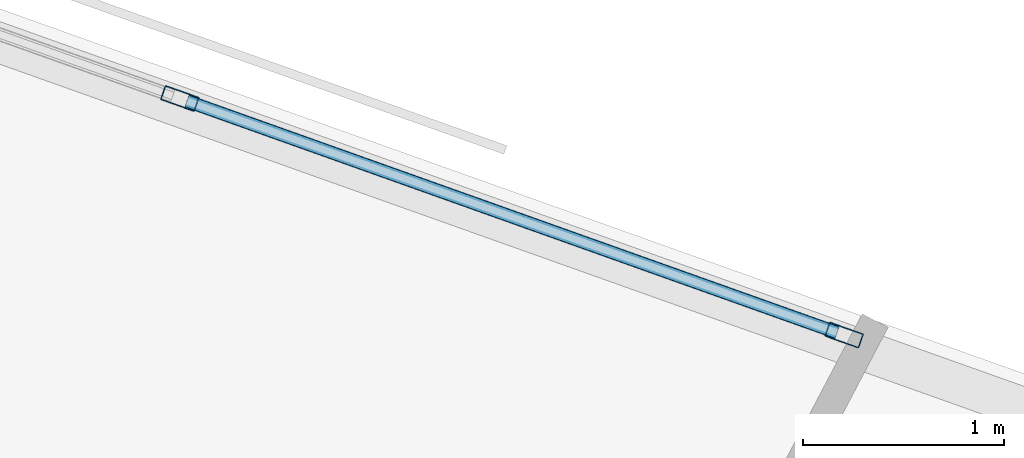
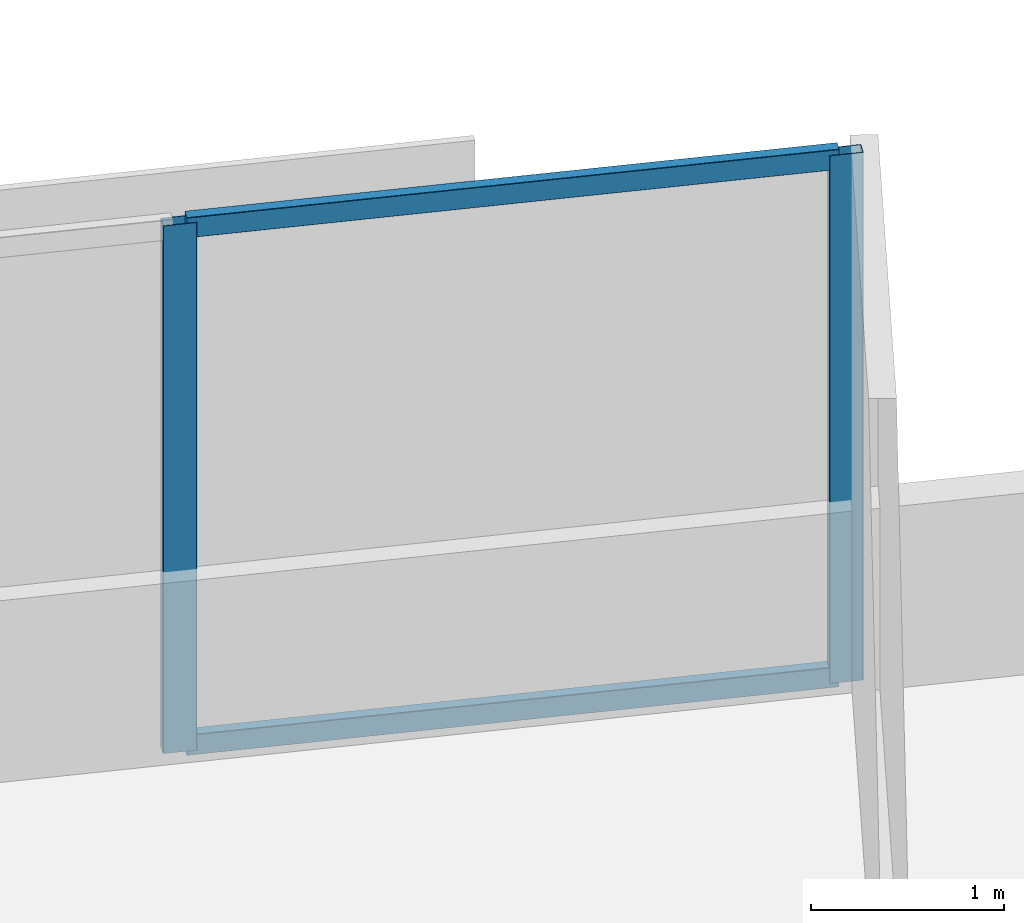
# One storey, part 2 of 14: 4 members, 1 element without a shape of its own.
"""IFC4 building model written with IfcOpenShell, lengths in metres."""

from ifc_helpers import new_model, si_unit, direction, frame, origin, origin_2d, place, context, subcontext, project, spatial, hollow_rectangle, extrude, material, material_profile, profile_set, type_object, element, aggregate, save


model = new_model("IFC4")

# Units and contexts
model_context = context("Model", 3, precision=1e-05, world=origin(), true_north=direction((0.0, 1.0)))
body_context = subcontext(model_context, "Body", "Model", "MODEL_VIEW")
ifc_project = project(units=[si_unit("LENGTHUNIT", "METRE"), si_unit("AREAUNIT", "SQUARE_METRE"), si_unit("VOLUMEUNIT", "CUBIC_METRE"), si_unit("PLANEANGLEUNIT", "RADIAN"), si_unit("MASSUNIT", "GRAM", prefix="KILO")], contexts=[model_context])

# Site, building, storey
site_placement = place(None, origin())
site = spatial("IfcSite", under=ifc_project, at=site_placement, CompositionType="ELEMENT")
building_placement = place(site_placement, origin())
building = spatial("IfcBuilding", under=site, at=building_placement, Name="Narakoshi Arena Tower", CompositionType="ELEMENT")
storey_placement = place(building_placement, frame((0.0, 0.0, 135.89990234375)))
storey = spatial("IfcBuildingStorey", under=building, at=storey_placement, Name="L36", CompositionType="ELEMENT", Elevation=135.89990234375)

# Curtain wall, members
ifc_material = material(Name="Anodised bronze aluminium 6063-T6", Category="aluminium")
curtain_wall_type = type_object("IfcCurtainWallType", Name="CW-HYP-MID", PredefinedType="NOTDEFINED", material=ifc_material)
curtain_wall_placement = place(storey_placement, origin())
curtain_wall = element("IfcCurtainWall", 1, at=curtain_wall_placement, inside=storey, type_object=curtain_wall_type, Name="L36 Folded Hypotenuse Curtain Wall 2-1", PredefinedType="NOTDEFINED")
ifc_material_profile_1 = material_profile(ifc_material, hollow_rectangle(XDim=0.074951171875, YDim=0.179931640625, WallThickness=0.00390625, OuterFilletRadius=0.0048828125, at=origin_2d()), Name="MUL180x75x4")
ifc_profile_set_1 = profile_set([ifc_material_profile_1], Name="Anodised bronze aluminium 6063-T6")
member_type_1 = type_object("IfcMemberType", Name="MEM-MUL-180", PredefinedType="MULLION", material=ifc_profile_set_1)
member_1_placement = place(storey_placement, frame((87.77978515625, 62.73876953125, 0.0), z_axis=(0.0, 0.0, 1.0), x_axis=(-0.335518297139, -0.94203368957, 0.0)))
member_1 = element("IfcMember", 2, at=member_1_placement, type_object=member_type_1, Name="CW-02 mullion 1", PredefinedType="MULLION", context=body_context, shape_type="SweptSolid", body=[
    extrude(hollow_rectangle(XDim=0.074951171875, YDim=0.179931640625, WallThickness=0.00390625, OuterFilletRadius=0.0048828125, at=origin_2d()), origin(), (0.0, 0.0, 1.0), 3.340087890625),
])
member_2_placement = place(storey_placement, frame((84.470458984375, 63.917236328125, 0.0), z_axis=(0.0, 0.0, 1.0), x_axis=(-0.335518297139, -0.94203368957, 0.0)))
member_2 = element("IfcMember", 3, at=member_2_placement, type_object=member_type_1, Name="CW-02 mullion 2", PredefinedType="MULLION", context=body_context, shape_type="SweptSolid", body=[
    extrude(hollow_rectangle(XDim=0.074951171875, YDim=0.179931640625, WallThickness=0.00390625, OuterFilletRadius=0.0048828125, at=origin_2d()), origin(), (0.0, 0.0, 1.0), 3.340087890625),
])
ifc_material_profile_2 = material_profile(ifc_material, hollow_rectangle(XDim=0.06494140625, YDim=0.1298828125, WallThickness=0.00390625, OuterFilletRadius=0.0048828125, at=origin_2d()), Name="TRN130x65x4")
ifc_profile_set_2 = profile_set([ifc_material_profile_2], Name="Anodised bronze aluminium 6063-T6")
member_type_2 = type_object("IfcMemberType", Name="MEM-TRN-130", PredefinedType="USERDEFINED", material=ifc_profile_set_2)
member_3_placement = place(storey_placement, frame((87.744384765625, 62.751220703125, 0.03271484375), z_axis=(-0.942022753127, 0.335549001773, 0.0), x_axis=(-0.335549001773, -0.942022753127, 0.0)))
member_3 = element("IfcMember", 4, at=member_3_placement, type_object=member_type_2, Name="CW-02 transom 1.1", ObjectType="TRANSOM", PredefinedType="USERDEFINED", context=body_context, shape_type="SweptSolid", body=[
    extrude(hollow_rectangle(XDim=0.06494140625, YDim=0.1298828125, WallThickness=0.00390625, OuterFilletRadius=0.0048828125, at=origin_2d()), origin(), (0.0, 0.0, 1.0), 3.437744140625),
])
member_4_placement = place(storey_placement, frame((87.744384765625, 62.751220703125, 3.3076171875), z_axis=(-0.942022753127, 0.335549001773, 0.0), x_axis=(-0.335549001773, -0.942022753127, 0.0)))
member_4 = element("IfcMember", 5, at=member_4_placement, type_object=member_type_2, Name="CW-02 transom 1.2", ObjectType="TRANSOM", PredefinedType="USERDEFINED", context=body_context, shape_type="SweptSolid", body=[
    extrude(hollow_rectangle(XDim=0.06494140625, YDim=0.1298828125, WallThickness=0.00390625, OuterFilletRadius=0.0048828125, at=origin_2d()), origin(), (0.0, 0.0, 1.0), 3.437744140625),
])
aggregate(curtain_wall, [member_1, member_2, member_3, member_4])

save(model, "model.ifc")
